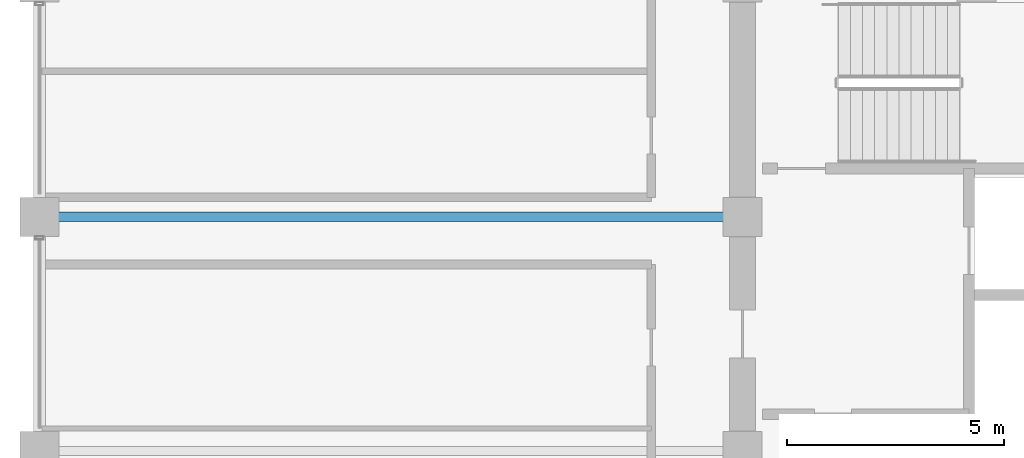
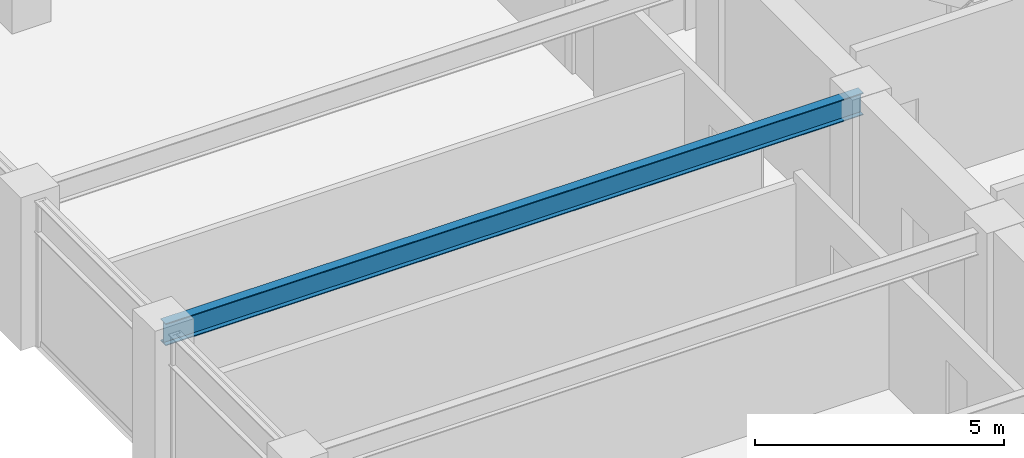
# One storey, part 11 of 32: 1 beam.
"""IFC4 building model written with IfcOpenShell, lengths in metres."""

from ifc_helpers import new_model, si_unit, direction, frame, origin, origin_2d, place, context, subcontext, project, spatial, i_section, extrude, material, material_profile, profile_set, type_object, element, save


model = new_model("IFC4")

# Units and contexts
model_context = context("Model", 3, precision=1e-05, world=origin(), true_north=direction((0.0, 1.0)))
body_context = subcontext(model_context, "Body", "Model", "MODEL_VIEW")
ifc_project = project(units=[si_unit("LENGTHUNIT", "METRE"), si_unit("AREAUNIT", "SQUARE_METRE"), si_unit("VOLUMEUNIT", "CUBIC_METRE"), si_unit("PLANEANGLEUNIT", "RADIAN"), si_unit("MASSUNIT", "GRAM", prefix="KILO")], contexts=[model_context])

# Site, building, storey
site_placement = place(None, origin())
site = spatial("IfcSite", under=ifc_project, at=site_placement, CompositionType="ELEMENT")
building_placement = place(site_placement, origin())
building = spatial("IfcBuilding", under=site, at=building_placement, Name="Surkhivell Harbour Commons", CompositionType="ELEMENT")
storey_placement = place(building_placement, frame((0.0, 0.0, 197.25)))
storey = spatial("IfcBuildingStorey", under=building, at=storey_placement, Name="L51", CompositionType="ELEMENT", Elevation=197.25)

# Beam
ifc_material = material(Name="Steel S355", Category="steel")
ifc_material_profile = material_profile(ifc_material, i_section(OverallWidth=0.2119140625, OverallDepth=0.5439453125, WebThickness=0.0126953125, FlangeThickness=0.021240234375, at=origin_2d()), Name="UB533x210x122")
ifc_profile_set = profile_set([ifc_material_profile], Name="Steel S355")
beam_type = type_object("IfcBeamType", Name="BM-GRD-533A", PredefinedType="BEAM", material=ifc_profile_set)
beam_placement = place(storey_placement, frame((-27.0, 5.39990234375, 3.298095703125), z_axis=(1.0, 0.0, 0.0), x_axis=(0.0, 1.0, 0.0)))
element("IfcBeam", 1, at=beam_placement, inside=storey, type_object=beam_type, Name="L51 Floor Girder (-27.0,5.4)", PredefinedType="BEAM", context=body_context, shape_type="SweptSolid", body=[
    extrude(i_section(OverallWidth=0.2119140625, OverallDepth=0.5439453125, WebThickness=0.0126953125, FlangeThickness=0.021240234375, at=origin_2d()), origin(), (0.0, 0.0, 1.0), 16.199951171875),
])

save(model, "model.ifc")
